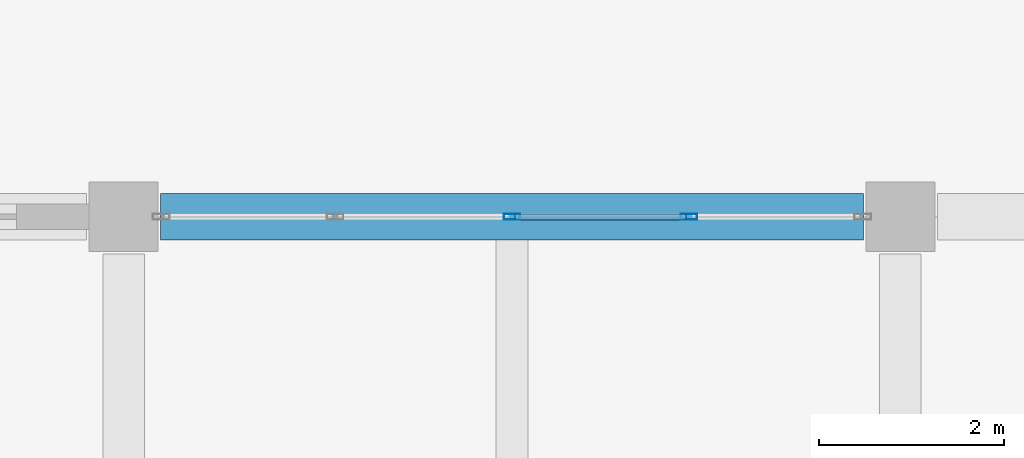
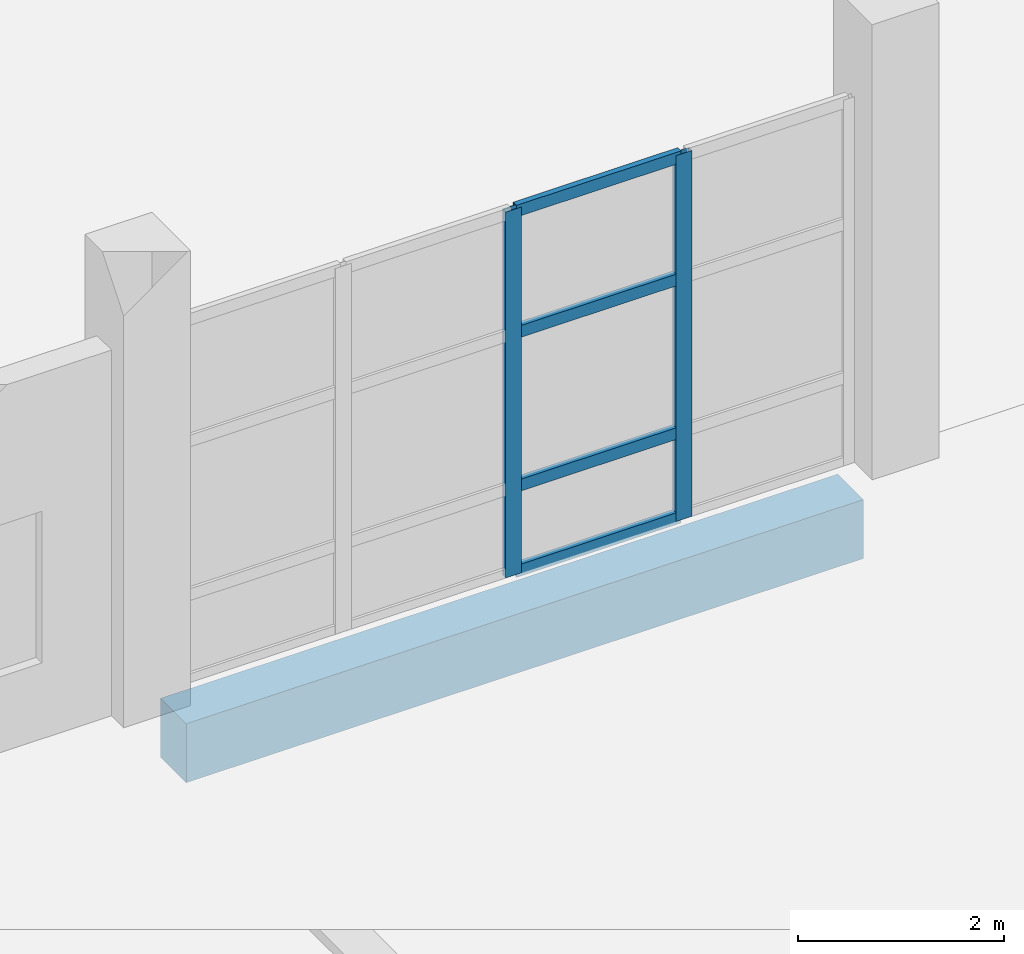
# One storey, part 17 of 78: 6 members, 1 beam, 1 element without a shape of its own.
"""IFC4 building model written with IfcOpenShell, lengths in metres."""

from ifc_helpers import new_model, si_unit, direction, frame, origin, origin_2d, place, context, subcontext, project, spatial, rectangle, hollow_rectangle, extrude, material, material_profile, profile_set, type_object, element, aggregate, save


model = new_model("IFC4")

# Units and contexts
model_context = context("Model", 3, precision=1e-05, world=origin(), true_north=direction((0.0, 1.0)))
body_context = subcontext(model_context, "Body", "Model", "MODEL_VIEW")
ifc_project = project(units=[si_unit("LENGTHUNIT", "METRE"), si_unit("AREAUNIT", "SQUARE_METRE"), si_unit("VOLUMEUNIT", "CUBIC_METRE"), si_unit("PLANEANGLEUNIT", "RADIAN"), si_unit("MASSUNIT", "GRAM", prefix="KILO")], contexts=[model_context])

# Site, building, storey
site_placement = place(None, origin())
site = spatial("IfcSite", under=ifc_project, at=site_placement, CompositionType="ELEMENT")
building_placement = place(site_placement, origin())
building = spatial("IfcBuilding", under=site, at=building_placement, Name="Pellamere Symphony Hall", CompositionType="ELEMENT")
storey_placement = place(building_placement, origin())
storey = spatial("IfcBuildingStorey", under=building, at=storey_placement, Name="L00", CompositionType="ELEMENT", Elevation=0.0)

# Curtain wall, members
ifc_material_1 = material(Name="Thermally Broken Anodised Aluminium 6063-T6 Curtain Wall", Category="aluminium")
curtain_wall_type = type_object("IfcCurtainWallType", Name="Curtain Wall CW-04 (Chamber Music Lobby Curtain Wall)", PredefinedType="NOTDEFINED", material=ifc_material_1)
curtain_wall_placement = place(storey_placement, origin())
curtain_wall = element("IfcCurtainWall", 1, at=curtain_wall_placement, inside=storey, type_object=curtain_wall_type, Name="Chamber Garden North Curtain Wall (L00 Bay 2)", PredefinedType="NOTDEFINED")
ifc_material_2 = material(Name="Anodised Architectural Aluminium 6063-T6", Category="aluminium")
ifc_material_profile_1 = material_profile(ifc_material_2, hollow_rectangle(XDim=0.06494140625, YDim=0.179931640625, WallThickness=0.00390625, at=origin_2d()), Name="ALU-M65X180X4")
ifc_profile_set_1 = profile_set([ifc_material_profile_1], Name="Anodised Architectural Aluminium 6063-T6")
member_type_1 = type_object("IfcMemberType", Name="Curtain Wall Mullion ML-02 ALU-M65X180X4", PredefinedType="MULLION", material=ifc_profile_set_1)
member_1_placement = place(storey_placement, frame((29.39990234375, 54.0, 0.0), z_axis=(0.0, 0.0, 1.0), x_axis=(0.0, 1.0, 0.0)))
member_1 = element("IfcMember", 2, at=member_1_placement, type_object=member_type_1, Name="CW4N-113 crystal mullion 3", PredefinedType="MULLION", context=body_context, shape_type="SweptSolid", body=[
    extrude(hollow_rectangle(XDim=0.06494140625, YDim=0.179931640625, WallThickness=0.00390625, at=origin_2d()), origin(), (0.0, 0.0, 1.0), 4.340087890625),
])
member_2_placement = place(storey_placement, frame((31.3125, 54.0, 0.0), z_axis=(0.0, 0.0, 1.0), x_axis=(0.0, 1.0, 0.0)))
member_2 = element("IfcMember", 3, at=member_2_placement, type_object=member_type_1, Name="CW4N-113 crystal mullion 4", PredefinedType="MULLION", context=body_context, shape_type="SweptSolid", body=[
    extrude(hollow_rectangle(XDim=0.06494140625, YDim=0.179931640625, WallThickness=0.00390625, at=origin_2d()), origin(), (0.0, 0.0, 1.0), 4.340087890625),
])
ifc_material_profile_2 = material_profile(ifc_material_2, hollow_rectangle(XDim=0.06494140625, YDim=0.139892578125, WallThickness=0.00390625, at=origin_2d()), Name="ALU-T65X140X4")
ifc_profile_set_2 = profile_set([ifc_material_profile_2], Name="Anodised Architectural Aluminium 6063-T6")
member_type_2 = type_object("IfcMemberType", Name="Curtain Wall Transom TR-02 ALU-T65X140X4", PredefinedType="USERDEFINED", material=ifc_profile_set_2)
member_3_placement = place(storey_placement, frame((29.4326171875, 54.0, 0.032470703125), z_axis=(1.0, 0.0, 0.0), x_axis=(0.0, 1.0, 0.0)))
member_3 = element("IfcMember", 4, at=member_3_placement, type_object=member_type_2, Name="CW4N-113 crystal transom 3.1", ObjectType="TRANSOM", PredefinedType="USERDEFINED", context=body_context, shape_type="SweptSolid", body=[
    extrude(hollow_rectangle(XDim=0.06494140625, YDim=0.139892578125, WallThickness=0.00390625, at=origin_2d()), origin(), (0.0, 0.0, 1.0), 1.847412109375),
])
member_4_placement = place(storey_placement, frame((29.4326171875, 54.0, 1.04150390625), z_axis=(1.0, 0.0, 0.0), x_axis=(0.0, 1.0, 0.0)))
member_4 = element("IfcMember", 5, at=member_4_placement, type_object=member_type_2, Name="CW4N-113 crystal transom 3.2", ObjectType="TRANSOM", PredefinedType="USERDEFINED", context=body_context, shape_type="SweptSolid", body=[
    extrude(hollow_rectangle(XDim=0.06494140625, YDim=0.139892578125, WallThickness=0.00390625, at=origin_2d()), origin(), (0.0, 0.0, 1.0), 1.847412109375),
])
member_5_placement = place(storey_placement, frame((29.4326171875, 54.0, 2.864501953125), z_axis=(1.0, 0.0, 0.0), x_axis=(0.0, 1.0, 0.0)))
member_5 = element("IfcMember", 6, at=member_5_placement, type_object=member_type_2, Name="CW4N-113 crystal transom 3.3", ObjectType="TRANSOM", PredefinedType="USERDEFINED", context=body_context, shape_type="SweptSolid", body=[
    extrude(hollow_rectangle(XDim=0.06494140625, YDim=0.139892578125, WallThickness=0.00390625, at=origin_2d()), origin(), (0.0, 0.0, 1.0), 1.847412109375),
])
member_6_placement = place(storey_placement, frame((29.4326171875, 54.0, 4.3076171875), z_axis=(1.0, 0.0, 0.0), x_axis=(0.0, 1.0, 0.0)))
member_6 = element("IfcMember", 7, at=member_6_placement, type_object=member_type_2, Name="CW4N-113 crystal transom 3.4", ObjectType="TRANSOM", PredefinedType="USERDEFINED", context=body_context, shape_type="SweptSolid", body=[
    extrude(hollow_rectangle(XDim=0.06494140625, YDim=0.139892578125, WallThickness=0.00390625, at=origin_2d()), origin(), (0.0, 0.0, 1.0), 1.847412109375),
])
aggregate(curtain_wall, [member_1, member_2, member_3, member_4, member_5, member_6])

# Beam
ifc_material_3 = material(Name="Concrete 40 MPa", Category="concrete")
ifc_material_profile_3 = material_profile(ifc_material_3, rectangle(XDim=0.5, YDim=0.699951171875, at=origin_2d()), Name="RC 500x700")
ifc_profile_set_3 = profile_set([ifc_material_profile_3], Name="Concrete 40 MPa")
beam_type = type_object("IfcBeamType", Name="RC CB-07 500x700", PredefinedType="BEAM", material=ifc_profile_set_3)
beam_placement = place(storey_placement, frame((25.60009765625, 54.0, -0.64990234375), z_axis=(1.0, 0.0, 0.0), x_axis=(0.0, 1.0, 0.0)))
element("IfcBeam", 8, at=beam_placement, inside=storey, type_object=beam_type, Name="Girder CB-07-X0113 (L00)", PredefinedType="BEAM", context=body_context, shape_type="SweptSolid", body=[
    extrude(rectangle(XDim=0.5, YDim=0.699951171875, at=origin_2d()), origin(), (0.0, 0.0, 1.0), 7.599853515625),
])

save(model, "model.ifc")
